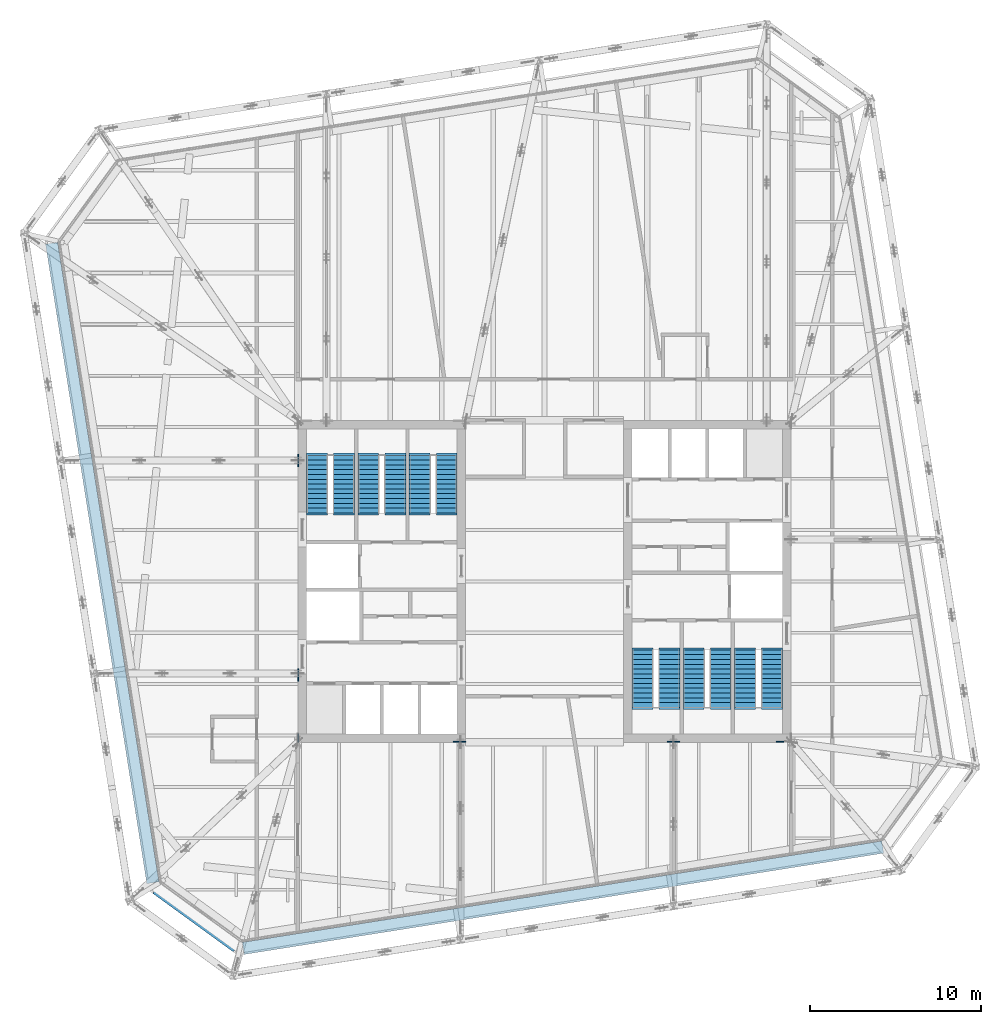
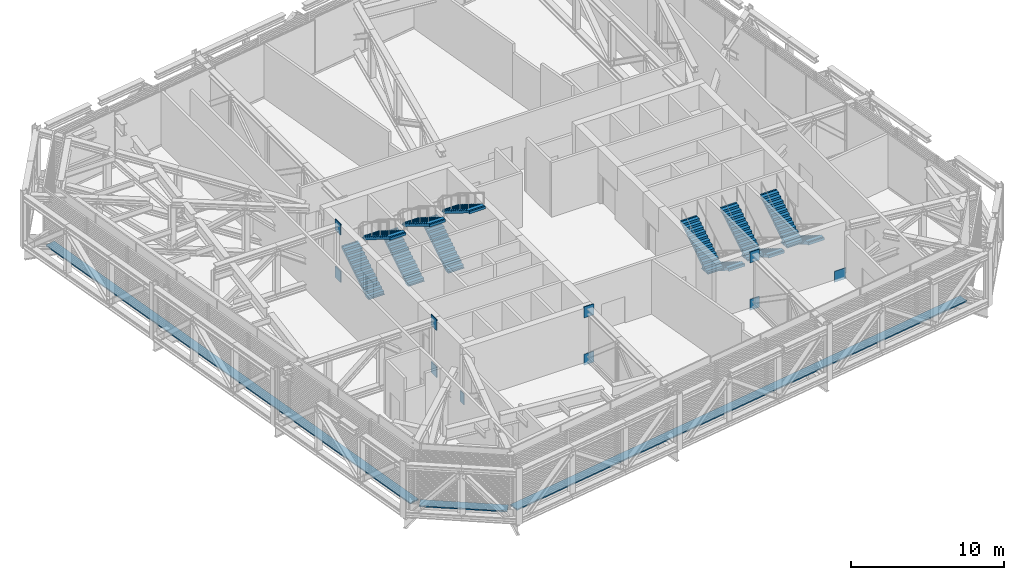
# One storey, part 24 of 32: 13 discrete accessories, 12 stair flights, 6 elements without a shape of their own.
"""IFC4 building model written with IfcOpenShell, lengths in metres."""

from ifc_helpers import new_model, si_unit, direction, frame, origin, origin_2d, place, context, subcontext, project, spatial, polyline, rectangle, outline, extrude, material, layer, layer_set, type_object, element, aggregate, save


model = new_model("IFC4")

# Units and contexts
model_context = context("Model", 3, precision=1e-05, world=origin(), true_north=direction((0.0, 1.0)))
body_context = subcontext(model_context, "Body", "Model", "MODEL_VIEW")
ifc_project = project(units=[si_unit("LENGTHUNIT", "METRE"), si_unit("AREAUNIT", "SQUARE_METRE"), si_unit("VOLUMEUNIT", "CUBIC_METRE"), si_unit("PLANEANGLEUNIT", "RADIAN"), si_unit("MASSUNIT", "GRAM", prefix="KILO")], contexts=[model_context])

# Site, building, storey
site_placement = place(None, origin())
site = spatial("IfcSite", under=ifc_project, at=site_placement, CompositionType="ELEMENT")
building_placement = place(site_placement, origin())
building = spatial("IfcBuilding", under=site, at=building_placement, Name="Millrace Tower", CompositionType="ELEMENT")
storey_placement = place(building_placement, frame((0.0, 0.0, 266.89990234375)))
storey = spatial("IfcBuildingStorey", under=building, at=storey_placement, Name="L61", CompositionType="ELEMENT", Elevation=266.89990234375)

# Stair, stair flights
ifc_material_1 = material(Name="Concrete C35", Category="concrete")
stair_type = type_object("IfcStairType", Name="Exit stair", PredefinedType="HALF_TURN_STAIR", material=ifc_material_1)
placement = place(storey_placement, origin())
stair_1 = element("IfcStair", 1, at=placement, inside=storey, type_object=stair_type, Name="Stair 1 W L61", PredefinedType="HALF_TURN_STAIR")
ifc_material_2 = material(Name="Concrete C35", Category="concrete")
stair_flight_type = type_object("IfcStairFlightType", Name="Exit stair flight", PredefinedType="STRAIGHT", material=ifc_material_2)
stair_flight_1_placement = place(storey_placement, frame((-13.2900390625, 4.0, 0.0), z_axis=(0.0, 0.0, 1.0), x_axis=(0.0, 1.0, 0.0)))
stair_flight_1 = element("IfcStairFlight", 2, at=stair_flight_1_placement, type_object=stair_flight_type, Name="ST12 flight 1", NumberOfRisers=13, NumberOfTreads=12, PredefinedType="STRAIGHT", RiserHeight=0.173076923, TreadLength=0.28, context=body_context, shape_type="SweptSolid", body=[
    extrude(outline(polyline([(-0.1201171875, -0.0400390625), (-0.1201171875, 0.0), (0.0, 0.0), (0.0, 0.173095703125), (0.280029296875, 0.173095703125), (0.280029296875, 0.34619140625), (0.56005859375, 0.34619140625), (0.56005859375, 0.519287109375), (0.840087890625, 0.519287109375), (0.840087890625, 0.6923828125), (1.1201171875, 0.6923828125), (1.1201171875, 0.865478515625), (1.39990234375, 0.865478515625), (1.39990234375, 1.03857421875), (1.679931640625, 1.03857421875), (1.679931640625, 1.21142578125), (1.9599609375, 1.21142578125), (1.9599609375, 1.384521484375), (2.239990234375, 1.384521484375), (2.239990234375, 1.5576171875), (2.52001953125, 1.5576171875), (2.52001953125, 1.730712890625), (2.800048828125, 1.730712890625), (2.800048828125, 1.90380859375), (3.080078125, 1.90380859375), (3.080078125, 2.076904296875), (3.360107421875, 2.076904296875), (3.360107421875, 2.096923828125), (3.47998046875, 2.096923828125), (3.47998046875, 1.900634765625), (3.360107421875, 1.900634765625), (0.28515625, 0.0), (0.28515625, -0.0400390625), (-0.1201171875, -0.0400390625)])), frame((0.0, 0.60986328125, 0.0), z_axis=(0.0, -1.0, 0.0), x_axis=(1.0, 0.0, 0.0)), (0.0, 0.0, 1.0), 1.219970703125),
])
stair_flight_2_placement = place(storey_placement, frame((-11.7099609375, 7.360107421875, 2.25), z_axis=(0.0, 0.0, 1.0), x_axis=(0.0, -1.0, 0.0)))
stair_flight_2 = element("IfcStairFlight", 3, at=stair_flight_2_placement, type_object=stair_flight_type, Name="ST12 flight 2", NumberOfRisers=13, NumberOfTreads=12, PredefinedType="STRAIGHT", RiserHeight=0.173076923, TreadLength=0.28, context=body_context, shape_type="SweptSolid", body=[
    extrude(outline(polyline([(-0.1201171875, -0.0400390625), (-0.1201171875, 0.0), (0.0, 0.0), (0.0, 0.173095703125), (0.280029296875, 0.173095703125), (0.280029296875, 0.34619140625), (0.56005859375, 0.34619140625), (0.56005859375, 0.519287109375), (0.840087890625, 0.519287109375), (0.840087890625, 0.6923828125), (1.1201171875, 0.6923828125), (1.1201171875, 0.865478515625), (1.39990234375, 0.865478515625), (1.39990234375, 1.03857421875), (1.679931640625, 1.03857421875), (1.679931640625, 1.21142578125), (1.9599609375, 1.21142578125), (1.9599609375, 1.384521484375), (2.239990234375, 1.384521484375), (2.239990234375, 1.5576171875), (2.52001953125, 1.5576171875), (2.52001953125, 1.730712890625), (2.800048828125, 1.730712890625), (2.800048828125, 1.90380859375), (3.080078125, 1.90380859375), (3.080078125, 2.076904296875), (3.360107421875, 2.076904296875), (3.360107421875, 2.096923828125), (3.47998046875, 2.096923828125), (3.47998046875, 1.900634765625), (3.360107421875, 1.900634765625), (0.28515625, 0.0), (0.28515625, -0.0400390625), (-0.1201171875, -0.0400390625)])), frame((0.0, 0.60986328125, 0.0), z_axis=(0.0, -1.0, 0.0), x_axis=(1.0, 0.0, 0.0)), (0.0, 0.0, 1.0), 1.219970703125),
])
aggregate(stair_1, [stair_flight_1, stair_flight_2])

stair_2 = element("IfcStair", 4, at=placement, inside=storey, type_object=stair_type, Name="Stair 2 W L61", PredefinedType="HALF_TURN_STAIR")
stair_flight_3_placement = place(storey_placement, frame((-10.2900390625, 4.0, 0.0), z_axis=(0.0, 0.0, 1.0), x_axis=(0.0, 1.0, 0.0)))
stair_flight_3 = element("IfcStairFlight", 5, at=stair_flight_3_placement, type_object=stair_flight_type, Name="ST12 flight 1", NumberOfRisers=13, NumberOfTreads=12, PredefinedType="STRAIGHT", RiserHeight=0.173076923, TreadLength=0.28, context=body_context, shape_type="SweptSolid", body=[
    extrude(outline(polyline([(-0.1201171875, -0.0400390625), (-0.1201171875, 0.0), (0.0, 0.0), (0.0, 0.173095703125), (0.280029296875, 0.173095703125), (0.280029296875, 0.34619140625), (0.56005859375, 0.34619140625), (0.56005859375, 0.519287109375), (0.840087890625, 0.519287109375), (0.840087890625, 0.6923828125), (1.1201171875, 0.6923828125), (1.1201171875, 0.865478515625), (1.39990234375, 0.865478515625), (1.39990234375, 1.03857421875), (1.679931640625, 1.03857421875), (1.679931640625, 1.21142578125), (1.9599609375, 1.21142578125), (1.9599609375, 1.384521484375), (2.239990234375, 1.384521484375), (2.239990234375, 1.5576171875), (2.52001953125, 1.5576171875), (2.52001953125, 1.730712890625), (2.800048828125, 1.730712890625), (2.800048828125, 1.90380859375), (3.080078125, 1.90380859375), (3.080078125, 2.076904296875), (3.360107421875, 2.076904296875), (3.360107421875, 2.096923828125), (3.47998046875, 2.096923828125), (3.47998046875, 1.900634765625), (3.360107421875, 1.900634765625), (0.28515625, 0.0), (0.28515625, -0.0400390625), (-0.1201171875, -0.0400390625)])), frame((0.0, 0.60986328125, 0.0), z_axis=(0.0, -1.0, 0.0), x_axis=(1.0, 0.0, 0.0)), (0.0, 0.0, 1.0), 1.219970703125),
])
stair_flight_4_placement = place(storey_placement, frame((-8.7099609375, 7.360107421875, 2.25), z_axis=(0.0, 0.0, 1.0), x_axis=(0.0, -1.0, 0.0)))
stair_flight_4 = element("IfcStairFlight", 6, at=stair_flight_4_placement, type_object=stair_flight_type, Name="ST12 flight 2", NumberOfRisers=13, NumberOfTreads=12, PredefinedType="STRAIGHT", RiserHeight=0.173076923, TreadLength=0.28, context=body_context, shape_type="SweptSolid", body=[
    extrude(outline(polyline([(-0.1201171875, -0.0400390625), (-0.1201171875, 0.0), (0.0, 0.0), (0.0, 0.173095703125), (0.280029296875, 0.173095703125), (0.280029296875, 0.34619140625), (0.56005859375, 0.34619140625), (0.56005859375, 0.519287109375), (0.840087890625, 0.519287109375), (0.840087890625, 0.6923828125), (1.1201171875, 0.6923828125), (1.1201171875, 0.865478515625), (1.39990234375, 0.865478515625), (1.39990234375, 1.03857421875), (1.679931640625, 1.03857421875), (1.679931640625, 1.21142578125), (1.9599609375, 1.21142578125), (1.9599609375, 1.384521484375), (2.239990234375, 1.384521484375), (2.239990234375, 1.5576171875), (2.52001953125, 1.5576171875), (2.52001953125, 1.730712890625), (2.800048828125, 1.730712890625), (2.800048828125, 1.90380859375), (3.080078125, 1.90380859375), (3.080078125, 2.076904296875), (3.360107421875, 2.076904296875), (3.360107421875, 2.096923828125), (3.47998046875, 2.096923828125), (3.47998046875, 1.900634765625), (3.360107421875, 1.900634765625), (0.28515625, 0.0), (0.28515625, -0.0400390625), (-0.1201171875, -0.0400390625)])), frame((0.0, 0.60986328125, 0.0), z_axis=(0.0, -1.0, 0.0), x_axis=(1.0, 0.0, 0.0)), (0.0, 0.0, 1.0), 1.219970703125),
])
aggregate(stair_2, [stair_flight_3, stair_flight_4])

stair_3 = element("IfcStair", 7, at=placement, inside=storey, type_object=stair_type, Name="Stair 3 W L61", PredefinedType="HALF_TURN_STAIR")
stair_flight_5_placement = place(storey_placement, frame((-7.2900390625, 4.0, 0.0), z_axis=(0.0, 0.0, 1.0), x_axis=(0.0, 1.0, 0.0)))
stair_flight_5 = element("IfcStairFlight", 8, at=stair_flight_5_placement, type_object=stair_flight_type, Name="ST12 flight 1", NumberOfRisers=13, NumberOfTreads=12, PredefinedType="STRAIGHT", RiserHeight=0.173076923, TreadLength=0.28, context=body_context, shape_type="SweptSolid", body=[
    extrude(outline(polyline([(-0.1201171875, -0.0400390625), (-0.1201171875, 0.0), (0.0, 0.0), (0.0, 0.173095703125), (0.280029296875, 0.173095703125), (0.280029296875, 0.34619140625), (0.56005859375, 0.34619140625), (0.56005859375, 0.519287109375), (0.840087890625, 0.519287109375), (0.840087890625, 0.6923828125), (1.1201171875, 0.6923828125), (1.1201171875, 0.865478515625), (1.39990234375, 0.865478515625), (1.39990234375, 1.03857421875), (1.679931640625, 1.03857421875), (1.679931640625, 1.21142578125), (1.9599609375, 1.21142578125), (1.9599609375, 1.384521484375), (2.239990234375, 1.384521484375), (2.239990234375, 1.5576171875), (2.52001953125, 1.5576171875), (2.52001953125, 1.730712890625), (2.800048828125, 1.730712890625), (2.800048828125, 1.90380859375), (3.080078125, 1.90380859375), (3.080078125, 2.076904296875), (3.360107421875, 2.076904296875), (3.360107421875, 2.096923828125), (3.47998046875, 2.096923828125), (3.47998046875, 1.900634765625), (3.360107421875, 1.900634765625), (0.28515625, 0.0), (0.28515625, -0.0400390625), (-0.1201171875, -0.0400390625)])), frame((0.0, 0.60986328125, 0.0), z_axis=(0.0, -1.0, 0.0), x_axis=(1.0, 0.0, 0.0)), (0.0, 0.0, 1.0), 1.219970703125),
])
stair_flight_6_placement = place(storey_placement, frame((-5.7099609375, 7.360107421875, 2.25), z_axis=(0.0, 0.0, 1.0), x_axis=(0.0, -1.0, 0.0)))
stair_flight_6 = element("IfcStairFlight", 9, at=stair_flight_6_placement, type_object=stair_flight_type, Name="ST12 flight 2", NumberOfRisers=13, NumberOfTreads=12, PredefinedType="STRAIGHT", RiserHeight=0.173076923, TreadLength=0.28, context=body_context, shape_type="SweptSolid", body=[
    extrude(outline(polyline([(-0.1201171875, -0.0400390625), (-0.1201171875, 0.0), (0.0, 0.0), (0.0, 0.173095703125), (0.280029296875, 0.173095703125), (0.280029296875, 0.34619140625), (0.56005859375, 0.34619140625), (0.56005859375, 0.519287109375), (0.840087890625, 0.519287109375), (0.840087890625, 0.6923828125), (1.1201171875, 0.6923828125), (1.1201171875, 0.865478515625), (1.39990234375, 0.865478515625), (1.39990234375, 1.03857421875), (1.679931640625, 1.03857421875), (1.679931640625, 1.21142578125), (1.9599609375, 1.21142578125), (1.9599609375, 1.384521484375), (2.239990234375, 1.384521484375), (2.239990234375, 1.5576171875), (2.52001953125, 1.5576171875), (2.52001953125, 1.730712890625), (2.800048828125, 1.730712890625), (2.800048828125, 1.90380859375), (3.080078125, 1.90380859375), (3.080078125, 2.076904296875), (3.360107421875, 2.076904296875), (3.360107421875, 2.096923828125), (3.47998046875, 2.096923828125), (3.47998046875, 1.900634765625), (3.360107421875, 1.900634765625), (0.28515625, 0.0), (0.28515625, -0.0400390625), (-0.1201171875, -0.0400390625)])), frame((0.0, 0.60986328125, 0.0), z_axis=(0.0, -1.0, 0.0), x_axis=(1.0, 0.0, 0.0)), (0.0, 0.0, 1.0), 1.219970703125),
])
aggregate(stair_3, [stair_flight_5, stair_flight_6])

stair_4 = element("IfcStair", 10, at=placement, inside=storey, type_object=stair_type, Name="Stair 1 E L61", PredefinedType="HALF_TURN_STAIR")
stair_flight_7_placement = place(storey_placement, frame((13.2900390625, -4.0, 0.0), z_axis=(0.0, 0.0, 1.0), x_axis=(0.0, -1.0, 0.0)))
stair_flight_7 = element("IfcStairFlight", 11, at=stair_flight_7_placement, type_object=stair_flight_type, Name="ST12 flight 1", NumberOfRisers=13, NumberOfTreads=12, PredefinedType="STRAIGHT", RiserHeight=0.173076923, TreadLength=0.28, context=body_context, shape_type="SweptSolid", body=[
    extrude(outline(polyline([(-0.1201171875, -0.0400390625), (-0.1201171875, 0.0), (0.0, 0.0), (0.0, 0.173095703125), (0.280029296875, 0.173095703125), (0.280029296875, 0.34619140625), (0.56005859375, 0.34619140625), (0.56005859375, 0.519287109375), (0.840087890625, 0.519287109375), (0.840087890625, 0.6923828125), (1.1201171875, 0.6923828125), (1.1201171875, 0.865478515625), (1.39990234375, 0.865478515625), (1.39990234375, 1.03857421875), (1.679931640625, 1.03857421875), (1.679931640625, 1.21142578125), (1.9599609375, 1.21142578125), (1.9599609375, 1.384521484375), (2.239990234375, 1.384521484375), (2.239990234375, 1.5576171875), (2.52001953125, 1.5576171875), (2.52001953125, 1.730712890625), (2.800048828125, 1.730712890625), (2.800048828125, 1.90380859375), (3.080078125, 1.90380859375), (3.080078125, 2.076904296875), (3.360107421875, 2.076904296875), (3.360107421875, 2.096923828125), (3.47998046875, 2.096923828125), (3.47998046875, 1.900634765625), (3.360107421875, 1.900634765625), (0.28515625, 0.0), (0.28515625, -0.0400390625), (-0.1201171875, -0.0400390625)])), frame((0.0, 0.60986328125, 0.0), z_axis=(0.0, -1.0, 0.0), x_axis=(1.0, 0.0, 0.0)), (0.0, 0.0, 1.0), 1.219970703125),
])
stair_flight_8_placement = place(storey_placement, frame((11.7099609375, -7.360107421875, 2.25), z_axis=(0.0, 0.0, 1.0), x_axis=(0.0, 1.0, 0.0)))
stair_flight_8 = element("IfcStairFlight", 12, at=stair_flight_8_placement, type_object=stair_flight_type, Name="ST12 flight 2", NumberOfRisers=13, NumberOfTreads=12, PredefinedType="STRAIGHT", RiserHeight=0.173076923, TreadLength=0.28, context=body_context, shape_type="SweptSolid", body=[
    extrude(outline(polyline([(-0.1201171875, -0.0400390625), (-0.1201171875, 0.0), (0.0, 0.0), (0.0, 0.173095703125), (0.280029296875, 0.173095703125), (0.280029296875, 0.34619140625), (0.56005859375, 0.34619140625), (0.56005859375, 0.519287109375), (0.840087890625, 0.519287109375), (0.840087890625, 0.6923828125), (1.1201171875, 0.6923828125), (1.1201171875, 0.865478515625), (1.39990234375, 0.865478515625), (1.39990234375, 1.03857421875), (1.679931640625, 1.03857421875), (1.679931640625, 1.21142578125), (1.9599609375, 1.21142578125), (1.9599609375, 1.384521484375), (2.239990234375, 1.384521484375), (2.239990234375, 1.5576171875), (2.52001953125, 1.5576171875), (2.52001953125, 1.730712890625), (2.800048828125, 1.730712890625), (2.800048828125, 1.90380859375), (3.080078125, 1.90380859375), (3.080078125, 2.076904296875), (3.360107421875, 2.076904296875), (3.360107421875, 2.096923828125), (3.47998046875, 2.096923828125), (3.47998046875, 1.900634765625), (3.360107421875, 1.900634765625), (0.28515625, 0.0), (0.28515625, -0.0400390625), (-0.1201171875, -0.0400390625)])), frame((0.0, 0.60986328125, 0.0), z_axis=(0.0, -1.0, 0.0), x_axis=(1.0, 0.0, 0.0)), (0.0, 0.0, 1.0), 1.219970703125),
])
aggregate(stair_4, [stair_flight_7, stair_flight_8])

stair_5 = element("IfcStair", 13, at=placement, inside=storey, type_object=stair_type, Name="Stair 2 E L61", PredefinedType="HALF_TURN_STAIR")
stair_flight_9_placement = place(storey_placement, frame((10.2900390625, -4.0, 0.0), z_axis=(0.0, 0.0, 1.0), x_axis=(0.0, -1.0, 0.0)))
stair_flight_9 = element("IfcStairFlight", 14, at=stair_flight_9_placement, type_object=stair_flight_type, Name="ST12 flight 1", NumberOfRisers=13, NumberOfTreads=12, PredefinedType="STRAIGHT", RiserHeight=0.173076923, TreadLength=0.28, context=body_context, shape_type="SweptSolid", body=[
    extrude(outline(polyline([(-0.1201171875, -0.0400390625), (-0.1201171875, 0.0), (0.0, 0.0), (0.0, 0.173095703125), (0.280029296875, 0.173095703125), (0.280029296875, 0.34619140625), (0.56005859375, 0.34619140625), (0.56005859375, 0.519287109375), (0.840087890625, 0.519287109375), (0.840087890625, 0.6923828125), (1.1201171875, 0.6923828125), (1.1201171875, 0.865478515625), (1.39990234375, 0.865478515625), (1.39990234375, 1.03857421875), (1.679931640625, 1.03857421875), (1.679931640625, 1.21142578125), (1.9599609375, 1.21142578125), (1.9599609375, 1.384521484375), (2.239990234375, 1.384521484375), (2.239990234375, 1.5576171875), (2.52001953125, 1.5576171875), (2.52001953125, 1.730712890625), (2.800048828125, 1.730712890625), (2.800048828125, 1.90380859375), (3.080078125, 1.90380859375), (3.080078125, 2.076904296875), (3.360107421875, 2.076904296875), (3.360107421875, 2.096923828125), (3.47998046875, 2.096923828125), (3.47998046875, 1.900634765625), (3.360107421875, 1.900634765625), (0.28515625, 0.0), (0.28515625, -0.0400390625), (-0.1201171875, -0.0400390625)])), frame((0.0, 0.60986328125, 0.0), z_axis=(0.0, -1.0, 0.0), x_axis=(1.0, 0.0, 0.0)), (0.0, 0.0, 1.0), 1.219970703125),
])
stair_flight_10_placement = place(storey_placement, frame((8.7099609375, -7.360107421875, 2.25), z_axis=(0.0, 0.0, 1.0), x_axis=(0.0, 1.0, 0.0)))
stair_flight_10 = element("IfcStairFlight", 15, at=stair_flight_10_placement, type_object=stair_flight_type, Name="ST12 flight 2", NumberOfRisers=13, NumberOfTreads=12, PredefinedType="STRAIGHT", RiserHeight=0.173076923, TreadLength=0.28, context=body_context, shape_type="SweptSolid", body=[
    extrude(outline(polyline([(-0.1201171875, -0.0400390625), (-0.1201171875, 0.0), (0.0, 0.0), (0.0, 0.173095703125), (0.280029296875, 0.173095703125), (0.280029296875, 0.34619140625), (0.56005859375, 0.34619140625), (0.56005859375, 0.519287109375), (0.840087890625, 0.519287109375), (0.840087890625, 0.6923828125), (1.1201171875, 0.6923828125), (1.1201171875, 0.865478515625), (1.39990234375, 0.865478515625), (1.39990234375, 1.03857421875), (1.679931640625, 1.03857421875), (1.679931640625, 1.21142578125), (1.9599609375, 1.21142578125), (1.9599609375, 1.384521484375), (2.239990234375, 1.384521484375), (2.239990234375, 1.5576171875), (2.52001953125, 1.5576171875), (2.52001953125, 1.730712890625), (2.800048828125, 1.730712890625), (2.800048828125, 1.90380859375), (3.080078125, 1.90380859375), (3.080078125, 2.076904296875), (3.360107421875, 2.076904296875), (3.360107421875, 2.096923828125), (3.47998046875, 2.096923828125), (3.47998046875, 1.900634765625), (3.360107421875, 1.900634765625), (0.28515625, 0.0), (0.28515625, -0.0400390625), (-0.1201171875, -0.0400390625)])), frame((0.0, 0.60986328125, 0.0), z_axis=(0.0, -1.0, 0.0), x_axis=(1.0, 0.0, 0.0)), (0.0, 0.0, 1.0), 1.219970703125),
])
aggregate(stair_5, [stair_flight_9, stair_flight_10])

stair_6 = element("IfcStair", 16, at=placement, inside=storey, type_object=stair_type, Name="Stair 3 E L61", PredefinedType="HALF_TURN_STAIR")
stair_flight_11_placement = place(storey_placement, frame((7.2900390625, -4.0, 0.0), z_axis=(0.0, 0.0, 1.0), x_axis=(0.0, -1.0, 0.0)))
stair_flight_11 = element("IfcStairFlight", 17, at=stair_flight_11_placement, type_object=stair_flight_type, Name="ST12 flight 1", NumberOfRisers=13, NumberOfTreads=12, PredefinedType="STRAIGHT", RiserHeight=0.173076923, TreadLength=0.28, context=body_context, shape_type="SweptSolid", body=[
    extrude(outline(polyline([(-0.1201171875, -0.0400390625), (-0.1201171875, 0.0), (0.0, 0.0), (0.0, 0.173095703125), (0.280029296875, 0.173095703125), (0.280029296875, 0.34619140625), (0.56005859375, 0.34619140625), (0.56005859375, 0.519287109375), (0.840087890625, 0.519287109375), (0.840087890625, 0.6923828125), (1.1201171875, 0.6923828125), (1.1201171875, 0.865478515625), (1.39990234375, 0.865478515625), (1.39990234375, 1.03857421875), (1.679931640625, 1.03857421875), (1.679931640625, 1.21142578125), (1.9599609375, 1.21142578125), (1.9599609375, 1.384521484375), (2.239990234375, 1.384521484375), (2.239990234375, 1.5576171875), (2.52001953125, 1.5576171875), (2.52001953125, 1.730712890625), (2.800048828125, 1.730712890625), (2.800048828125, 1.90380859375), (3.080078125, 1.90380859375), (3.080078125, 2.076904296875), (3.360107421875, 2.076904296875), (3.360107421875, 2.096923828125), (3.47998046875, 2.096923828125), (3.47998046875, 1.900634765625), (3.360107421875, 1.900634765625), (0.28515625, 0.0), (0.28515625, -0.0400390625), (-0.1201171875, -0.0400390625)])), frame((0.0, 0.60986328125, 0.0), z_axis=(0.0, -1.0, 0.0), x_axis=(1.0, 0.0, 0.0)), (0.0, 0.0, 1.0), 1.219970703125),
])
stair_flight_12_placement = place(storey_placement, frame((5.7099609375, -7.360107421875, 2.25), z_axis=(0.0, 0.0, 1.0), x_axis=(0.0, 1.0, 0.0)))
stair_flight_12 = element("IfcStairFlight", 18, at=stair_flight_12_placement, type_object=stair_flight_type, Name="ST12 flight 2", NumberOfRisers=13, NumberOfTreads=12, PredefinedType="STRAIGHT", RiserHeight=0.173076923, TreadLength=0.28, context=body_context, shape_type="SweptSolid", body=[
    extrude(outline(polyline([(-0.1201171875, -0.0400390625), (-0.1201171875, 0.0), (0.0, 0.0), (0.0, 0.173095703125), (0.280029296875, 0.173095703125), (0.280029296875, 0.34619140625), (0.56005859375, 0.34619140625), (0.56005859375, 0.519287109375), (0.840087890625, 0.519287109375), (0.840087890625, 0.6923828125), (1.1201171875, 0.6923828125), (1.1201171875, 0.865478515625), (1.39990234375, 0.865478515625), (1.39990234375, 1.03857421875), (1.679931640625, 1.03857421875), (1.679931640625, 1.21142578125), (1.9599609375, 1.21142578125), (1.9599609375, 1.384521484375), (2.239990234375, 1.384521484375), (2.239990234375, 1.5576171875), (2.52001953125, 1.5576171875), (2.52001953125, 1.730712890625), (2.800048828125, 1.730712890625), (2.800048828125, 1.90380859375), (3.080078125, 1.90380859375), (3.080078125, 2.076904296875), (3.360107421875, 2.076904296875), (3.360107421875, 2.096923828125), (3.47998046875, 2.096923828125), (3.47998046875, 1.900634765625), (3.360107421875, 1.900634765625), (0.28515625, 0.0), (0.28515625, -0.0400390625), (-0.1201171875, -0.0400390625)])), frame((0.0, 0.60986328125, 0.0), z_axis=(0.0, -1.0, 0.0), x_axis=(1.0, 0.0, 0.0)), (0.0, 0.0, 1.0), 1.219970703125),
])
aggregate(stair_6, [stair_flight_11, stair_flight_12])

# Discrete accessories
ifc_material_3 = material(Name="Steel ASTM A572 Grade 50", Category="steel")
ifc_layer_1 = layer(ifc_material_3, 0.06494140625)
ifc_layer_set_1 = layer_set([ifc_layer_1], Name="Steel ASTM A572 Grade 50")
discrete_accessory_type_1 = type_object("IfcDiscreteAccessoryType", Name="Cast-in anchor plate 500x875x65", PredefinedType="ANCHORPLATE", material=ifc_layer_set_1)
discrete_accessory_1_placement = place(storey_placement, frame((-14.3349609375, -9.14990234375, 0.237548828125), z_axis=(-1.0, 0.0, 0.0), x_axis=(0.0, -1.0, 0.0)))
element("IfcDiscreteAccessory", 19, at=discrete_accessory_1_placement, inside=storey, type_object=discrete_accessory_type_1, Name="Cast-in anchor plate BLT-L61-O01-B01", PredefinedType="ANCHORPLATE", context=body_context, shape_type="SweptSolid", body=[
    extrude(rectangle(XDim=0.5, YDim=0.875, at=origin_2d()), origin(), (0.0, 0.0, 1.0), 0.06494140625),
])
ifc_material_4 = material(Name="Steel ASTM A572 Grade 50", Category="steel")
ifc_layer_2 = layer(ifc_material_4, 0.06494140625)
ifc_layer_set_2 = layer_set([ifc_layer_2], Name="Steel ASTM A572 Grade 50")
discrete_accessory_type_2 = type_object("IfcDiscreteAccessoryType", Name="Cast-in anchor plate 725x875x65", PredefinedType="ANCHORPLATE", material=ifc_layer_set_2)
for number, where, z_axis, x_axis, name in (
    (20, (-4.96240234375, -9.3349609375, 0.237548828125), (0.0, -1.0, 0.0), (1.0, 0.0, 0.0), "Cast-in anchor plate BLT-L61-O03-B01"),
    (21, (-4.96240234375, -9.3349609375, 4.002685546875), (0.0, -1.0, 0.0), (1.0, 0.0, 0.0), "Cast-in anchor plate BLT-L61-O03-T01"),
    (22, (7.533203125, -9.3349609375, 0.237548828125), (0.0, -1.0, 0.0), (1.0, 0.0, 0.0), "Cast-in anchor plate BLT-L61-O04-B01"),
    (23, (7.533203125, -9.3349609375, 4.002685546875), (0.0, -1.0, 0.0), (1.0, 0.0, 0.0), "Cast-in anchor plate BLT-L61-O04-T01"),
    (24, (-14.3349609375, 7.0615234375, 0.237548828125), (-1.0, 0.0, 0.0), (0.0, -1.0, 0.0), "Cast-in anchor plate BLT-L61-O15-B01"),
    (25, (-14.3349609375, 7.0615234375, 4.002685546875), (-1.0, 0.0, 0.0), (0.0, -1.0, 0.0), "Cast-in anchor plate BLT-L61-O15-T01"),
    (26, (-14.3349609375, -5.46240234375, 0.237548828125), (-1.0, 0.0, 0.0), (0.0, -1.0, 0.0), "Cast-in anchor plate BLT-L61-O16-B01"),
    (27, (-14.3349609375, -5.46240234375, 4.002685546875), (-1.0, 0.0, 0.0), (0.0, -1.0, 0.0), "Cast-in anchor plate BLT-L61-O16-T01"),
):
    element("IfcDiscreteAccessory", number, at=place(storey_placement, frame(where, z_axis=z_axis, x_axis=x_axis)), inside=storey, type_object=discrete_accessory_type_2, Name=name, PredefinedType="ANCHORPLATE", context=body_context, shape_type="SweptSolid", body=[
        extrude(rectangle(XDim=0.72509765625, YDim=0.875, at=origin_2d()), origin(), (0.0, 0.0, 1.0), 0.06494140625),
    ])
ifc_material_5 = material(Name="Steel ASTM A572 Grade 50", Category="steel")
ifc_layer_3 = layer(ifc_material_5, 0.06494140625)
ifc_layer_set_3 = layer_set([ifc_layer_3], Name="Steel ASTM A572 Grade 50")
discrete_accessory_type_3 = type_object("IfcDiscreteAccessoryType", Name="Cast-in anchor plate 860x875x65", PredefinedType="ANCHORPLATE", material=ifc_layer_set_3)
discrete_accessory_2_placement = place(storey_placement, frame((13.969970703125, -9.3349609375, 0.237548828125), z_axis=(0.0, -1.0, 0.0), x_axis=(1.0, 0.0, 0.0)))
element("IfcDiscreteAccessory", 28, at=discrete_accessory_2_placement, inside=storey, type_object=discrete_accessory_type_3, Name="Cast-in anchor plate BLT-L61-O05-B01", PredefinedType="ANCHORPLATE", context=body_context, shape_type="SweptSolid", body=[
    extrude(rectangle(XDim=0.860107421875, YDim=0.875, at=origin_2d()), origin(), (0.0, 0.0, 1.0), 0.06494140625),
])
ifc_material_6 = material(Name="Stainless steel ASTM A240 type 316", Category="steel")
discrete_accessory_type_4 = type_object("IfcDiscreteAccessoryType", Name="Thermally broken screen support rail", PredefinedType="BRACKET", material=ifc_material_6)
discrete_accessory_3_placement = place(storey_placement, frame((-20.314453125, -19.632080078125, 0.0), z_axis=(0.0, 0.0, 1.0), x_axis=(0.809016955361, -0.587785305991, 0.0)))
element("IfcDiscreteAccessory", 29, at=discrete_accessory_3_placement, inside=storey, type_object=discrete_accessory_type_4, Name="Thermally broken screen support rail D-F01 L61 1", PredefinedType="BRACKET", context=body_context, shape_type="SweptSolid", body=[
    extrude(rectangle(XDim=5.79833984375, YDim=0.719970703125, at=origin_2d()), origin(), (0.0, 0.0, 1.0), 0.10009765625),
])
for number, where, z_axis, x_axis, name in (
    (30, (1.077880859375, -18.470458984375, 0.0), (0.0, 0.0, 1.0), (0.987688339511, 0.156434471884, 0.0), "Thermally broken screen support rail D-F02 L61 1"),
    (31, (-25.820556640625, 1.072265625, 0.0), (0.0, 0.0, 1.0), (0.156434471884, -0.987688339511, 0.0), "Thermally broken screen support rail D-F08 L61 1"),
):
    element("IfcDiscreteAccessory", number, at=place(storey_placement, frame(where, z_axis=z_axis, x_axis=x_axis)), inside=storey, type_object=discrete_accessory_type_4, Name=name, PredefinedType="BRACKET", context=body_context, shape_type="SweptSolid", body=[
        extrude(rectangle(XDim=37.800048828125, YDim=0.719970703125, at=origin_2d()), origin(), (0.0, 0.0, 1.0), 0.10009765625),
    ])

save(model, "model.ifc")
